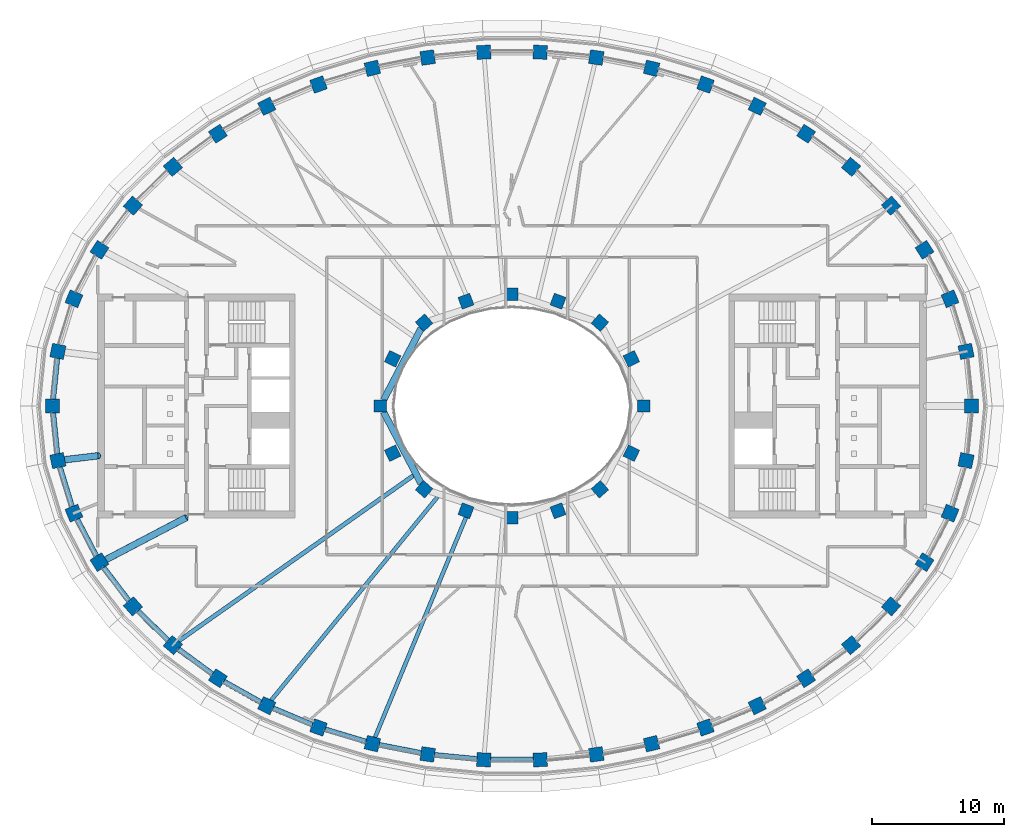
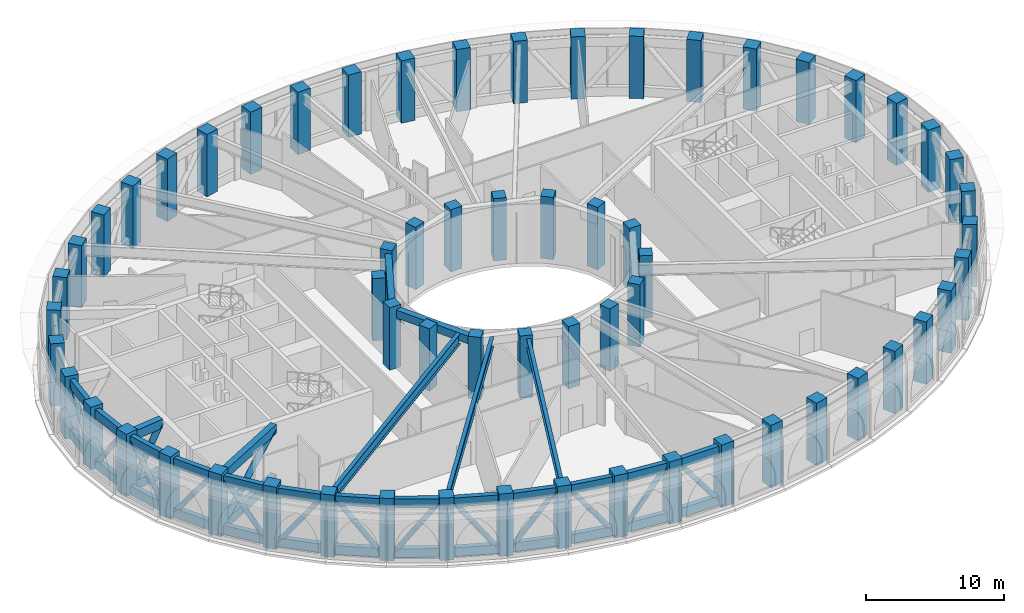
# One storey, part 1 of 23: 62 columns, 35 beams, 15 members.
"""IFC4 building model written with IfcOpenShell, lengths in metres."""

from ifc_helpers import new_model, si_unit, direction, frame, origin, origin_2d, place, context, subcontext, project, spatial, rectangle, hollow_rectangle, hollow_circle, i_section, extrude, material, material_profile, profile_set, type_object, element, save


model = new_model("IFC4")

# Units and contexts
model_context = context("Model", 3, precision=1e-05, world=origin(), true_north=direction((0.0, 1.0)))
body_context = subcontext(model_context, "Body", "Model", "MODEL_VIEW")
ifc_project = project(units=[si_unit("LENGTHUNIT", "METRE"), si_unit("AREAUNIT", "SQUARE_METRE"), si_unit("VOLUMEUNIT", "CUBIC_METRE"), si_unit("PLANEANGLEUNIT", "RADIAN"), si_unit("MASSUNIT", "GRAM", prefix="KILO")], contexts=[model_context])

# Site, building, storey
site_placement = place(None, origin())
site = spatial("IfcSite", under=ifc_project, at=site_placement, CompositionType="ELEMENT")
building_placement = place(site_placement, origin())
building = spatial("IfcBuilding", under=site, at=building_placement, Name="Noorbagh Ring Tower", CompositionType="ELEMENT")
storey_placement = place(building_placement, frame((0.0, 0.0, 285.5)))
storey = spatial("IfcBuildingStorey", under=building, at=storey_placement, Name="L61", CompositionType="ELEMENT", Elevation=285.5)

# Columns
ifc_material_1 = material(Name="Concrete C50/60", Category="concrete")
ifc_material_profile_1 = material_profile(ifc_material_1, rectangle(XDim=1.050048828125, YDim=1.050048828125, at=origin_2d()), Name="RC1050x1050")
ifc_profile_set_1 = profile_set([ifc_material_profile_1], Name="Concrete C50/60")
column_type_1 = type_object("IfcColumnType", Name="STR-COL-RC1050x1050-C50-60", PredefinedType="COLUMN", material=ifc_profile_set_1)
for number, where, z_axis, x_axis, name in (
    (1, (34.944580078125, 0.0, 0.0), (0.0, 0.0, 1.0), (0.0, 1.0, 0.0), "L61/col/R1-01"),
    (2, (34.52685546875, 4.150634765625, 0.0), (0.0, 0.0, 1.0), (-0.19723040178, 0.9803571638, 0.0), "L61/col/R1-02"),
    (3, (33.30517578125, 8.1494140625, 0.0), (0.0, 0.0, 1.0), (-0.378989499959, 0.925400971969, 0.0), "L61/col/R1-03"),
    (4, (31.364990234375, 11.87109375, 0.0), (0.0, 0.0, 1.0), (-0.535190403059, 0.844731455833, 0.0), "L61/col/R1-04"),
    (5, (28.81884765625, 15.23046875, 0.0), (0.0, 0.0, 1.0), (-0.662635642662, 0.748941923699, 0.0), "L61/col/R1-05"),
    (6, (25.78271484375, 18.180419921875, 0.0), (0.0, 0.0, 1.0), (-0.763035199656, 0.646356932419, 0.0), "L61/col/R1-06"),
    (7, (22.362060546875, 20.699951171875, 0.0), (0.0, 0.0, 1.0), (-0.840247639643, 0.542202825586, 0.0), "L61/col/R1-07"),
    (8, (18.646240234375, 22.785400390625, 0.0), (0.0, 0.0, 1.0), (-0.898399080868, 0.439180021741, 0.0), "L61/col/R1-08"),
    (9, (14.70947265625, 24.44091796875, 0.0), (0.0, 0.0, 1.0), (-0.941024726094, 0.338337797003, 0.0), "L61/col/R1-09"),
    (10, (10.61328125, 25.673583984375, 0.0), (0.0, 0.0, 1.0), (-0.970829360981, 0.239771457553, 0.0), "L61/col/R1-10"),
    (11, (6.4091796875, 26.49072265625, 0.0), (0.0, 0.0, 1.0), (-0.989713114048, 0.143066249975, 0.0), "L61/col/R1-11"),
    (12, (2.14306640625, 26.89794921875, 0.0), (0.0, 0.0, 1.0), (-0.998868731212, 0.047552684538, 0.0), "L61/col/R1-12"),
    (13, (-2.14306640625, 26.89794921875, 0.0), (0.0, 0.0, 1.0), (-0.998868731212, -0.047552684538, 0.0), "L61/col/R1-13"),
    (14, (-6.4091796875, 26.49072265625, 0.0), (0.0, 0.0, 1.0), (-0.989713114048, -0.143066249975, 0.0), "L61/col/R1-14"),
    (15, (-10.61328125, 25.673583984375, 0.0), (0.0, 0.0, 1.0), (-0.970829360981, -0.239771457553, 0.0), "L61/col/R1-15"),
    (16, (-14.70947265625, 24.44091796875, 0.0), (0.0, 0.0, 1.0), (-0.941024726094, -0.338337797003, 0.0), "L61/col/R1-16"),
    (17, (-18.646240234375, 22.785400390625, 0.0), (0.0, 0.0, 1.0), (-0.898399080868, -0.439180021741, 0.0), "L61/col/R1-17"),
    (18, (-22.362060546875, 20.699951171875, 0.0), (0.0, 0.0, 1.0), (-0.840247639643, -0.542202825586, 0.0), "L61/col/R1-18"),
    (19, (-25.78271484375, 18.180419921875, 0.0), (0.0, 0.0, 1.0), (-0.763035199656, -0.646356932419, 0.0), "L61/col/R1-19"),
    (20, (-28.81884765625, 15.23046875, 0.0), (0.0, 0.0, 1.0), (-0.662635642662, -0.748941923699, 0.0), "L61/col/R1-20"),
    (21, (-31.364990234375, 11.87109375, 0.0), (0.0, 0.0, 1.0), (-0.535190403059, -0.844731455833, 0.0), "L61/col/R1-21"),
    (22, (-33.30517578125, 8.1494140625, 0.0), (0.0, 0.0, 1.0), (-0.378989499959, -0.925400971969, 0.0), "L61/col/R1-22"),
    (23, (-34.52685546875, 4.150634765625, 0.0), (0.0, 0.0, 1.0), (-0.19723040178, -0.9803571638, 0.0), "L61/col/R1-23"),
    (24, (-34.944580078125, 0.0, 0.0), (0.0, 0.0, 1.0), (0.0, -1.0, 0.0), "L61/col/R1-24"),
    (25, (-34.52685546875, -4.150634765625, 0.0), (0.0, 0.0, 1.0), (0.19723040178, -0.9803571638, 0.0), "L61/col/R1-25"),
    (26, (-33.30517578125, -8.1494140625, 0.0), (0.0, 0.0, 1.0), (0.378989499959, -0.925400971969, 0.0), "L61/col/R1-26"),
    (27, (-31.364990234375, -11.87109375, 0.0), (0.0, 0.0, 1.0), (0.535190403059, -0.844731455833, 0.0), "L61/col/R1-27"),
    (28, (-28.81884765625, -15.23046875, 0.0), (0.0, 0.0, 1.0), (0.662635642662, -0.748941923699, 0.0), "L61/col/R1-28"),
    (29, (-25.78271484375, -18.180419921875, 0.0), (0.0, 0.0, 1.0), (0.763035199656, -0.646356932419, 0.0), "L61/col/R1-29"),
    (30, (-22.362060546875, -20.699951171875, 0.0), (0.0, 0.0, 1.0), (0.840247639643, -0.542202825586, 0.0), "L61/col/R1-30"),
    (31, (-18.646240234375, -22.785400390625, 0.0), (0.0, 0.0, 1.0), (0.898399080868, -0.439180021741, 0.0), "L61/col/R1-31"),
    (32, (-14.70947265625, -24.44091796875, 0.0), (0.0, 0.0, 1.0), (0.941024726094, -0.338337797003, 0.0), "L61/col/R1-32"),
    (33, (-10.61328125, -25.673583984375, 0.0), (0.0, 0.0, 1.0), (0.970829360981, -0.239771457553, 0.0), "L61/col/R1-33"),
    (34, (-6.4091796875, -26.49072265625, 0.0), (0.0, 0.0, 1.0), (0.989713114048, -0.143066249975, 0.0), "L61/col/R1-34"),
    (35, (-2.14306640625, -26.89794921875, 0.0), (0.0, 0.0, 1.0), (0.998868731212, -0.047552684538, 0.0), "L61/col/R1-35"),
    (36, (2.14306640625, -26.89794921875, 0.0), (0.0, 0.0, 1.0), (0.998868731212, 0.047552684538, 0.0), "L61/col/R1-36"),
    (37, (6.4091796875, -26.49072265625, 0.0), (0.0, 0.0, 1.0), (0.989713114048, 0.143066249975, 0.0), "L61/col/R1-37"),
    (38, (10.61328125, -25.673583984375, 0.0), (0.0, 0.0, 1.0), (0.970829360981, 0.239771457553, 0.0), "L61/col/R1-38"),
    (39, (14.70947265625, -24.44091796875, 0.0), (0.0, 0.0, 1.0), (0.941024726094, 0.338337797003, 0.0), "L61/col/R1-39"),
    (40, (18.646240234375, -22.785400390625, 0.0), (0.0, 0.0, 1.0), (0.898399080868, 0.439180021741, 0.0), "L61/col/R1-40"),
    (41, (22.362060546875, -20.699951171875, 0.0), (0.0, 0.0, 1.0), (0.840247639643, 0.542202825586, 0.0), "L61/col/R1-41"),
    (42, (25.78271484375, -18.180419921875, 0.0), (0.0, 0.0, 1.0), (0.763035199656, 0.646356932419, 0.0), "L61/col/R1-42"),
    (43, (28.81884765625, -15.23046875, 0.0), (0.0, 0.0, 1.0), (0.662635642662, 0.748941923699, 0.0), "L61/col/R1-43"),
    (44, (31.364990234375, -11.87109375, 0.0), (0.0, 0.0, 1.0), (0.535190403059, 0.844731455833, 0.0), "L61/col/R1-44"),
    (45, (33.30517578125, -8.1494140625, 0.0), (0.0, 0.0, 1.0), (0.378989499959, 0.925400971969, 0.0), "L61/col/R1-45"),
    (46, (34.52685546875, -4.150634765625, 0.0), (0.0, 0.0, 1.0), (0.19723040178, 0.9803571638, 0.0), "L61/col/R1-46"),
):
    element("IfcColumn", number, at=place(storey_placement, frame(where, z_axis=z_axis, x_axis=x_axis)), inside=storey, type_object=column_type_1, Name=name, PredefinedType="COLUMN", context=body_context, shape_type="SweptSolid", body=[
        extrude(rectangle(XDim=1.050048828125, YDim=1.050048828125, at=origin_2d()), origin(), (0.0, 0.0, 1.0), 5.5),
    ])
ifc_material_2 = material(Name="Concrete C50/60", Category="concrete")
ifc_material_profile_2 = material_profile(ifc_material_2, rectangle(XDim=0.949951171875, YDim=0.949951171875, at=origin_2d()), Name="RC950x950")
ifc_profile_set_2 = profile_set([ifc_material_profile_2], Name="Concrete C50/60")
column_type_2 = type_object("IfcColumnType", Name="STR-ICOL-RC950x950-C50-60", PredefinedType="COLUMN", material=ifc_profile_set_2)
for number, where, z_axis, x_axis, name in (
    (47, (10.00830078125, 0.0, 0.0), (0.0, 0.0, 1.0), (0.0, 1.0, 0.0), "L61/col/IR2-W01"),
    (48, (9.07568359375, 3.58837890625, 0.0), (0.0, 0.0, 1.0), (-0.428666979171, 0.903462573087, 0.0), "L61/col/IR2-W03"),
    (49, (6.68212890625, 6.333740234375, 0.0), (0.0, 0.0, 1.0), (-0.75102249095, 0.660276622399, 0.0), "L61/col/IR2-W05"),
    (50, (3.5009765625, 7.967041015625, 0.0), (0.0, 0.0, 1.0), (-0.939019578916, 0.343863679984, 0.0), "L61/col/IR2-W07"),
    (51, (0.0, 8.5029296875, 0.0), (0.0, 0.0, 1.0), (-1.0, 0.0, 0.0), "L61/col/IR2-W09"),
    (52, (-3.5009765625, 7.967041015625, 0.0), (0.0, 0.0, 1.0), (-0.939019578916, -0.343863679984, 0.0), "L61/col/IR2-W11"),
    (53, (-6.68212890625, 6.333740234375, 0.0), (0.0, 0.0, 1.0), (-0.75102249095, -0.660276622399, 0.0), "L61/col/IR2-W13"),
    (54, (-9.07568359375, 3.58837890625, 0.0), (0.0, 0.0, 1.0), (-0.428666979171, -0.903462573087, 0.0), "L61/col/IR2-W15"),
    (55, (-10.00830078125, 0.0, 0.0), (0.0, 0.0, 1.0), (0.0, -1.0, 0.0), "L61/col/IR2-W17"),
    (56, (-9.07568359375, -3.58837890625, 0.0), (0.0, 0.0, 1.0), (0.428666979171, -0.903462573087, 0.0), "L61/col/IR2-W19"),
    (57, (-6.68212890625, -6.333740234375, 0.0), (0.0, 0.0, 1.0), (0.75102249095, -0.660276622399, 0.0), "L61/col/IR2-W21"),
    (58, (-3.5009765625, -7.967041015625, 0.0), (0.0, 0.0, 1.0), (0.939019578916, -0.343863679984, 0.0), "L61/col/IR2-W23"),
    (59, (0.0, -8.5029296875, 0.0), (0.0, 0.0, 1.0), (1.0, 0.0, 0.0), "L61/col/IR2-W25"),
    (60, (3.5009765625, -7.967041015625, 0.0), (0.0, 0.0, 1.0), (0.939019578916, 0.343863679984, 0.0), "L61/col/IR2-W27"),
    (61, (6.68212890625, -6.333740234375, 0.0), (0.0, 0.0, 1.0), (0.75102249095, 0.660276622399, 0.0), "L61/col/IR2-W29"),
    (62, (9.07568359375, -3.58837890625, 0.0), (0.0, 0.0, 1.0), (0.428666979171, 0.903462573087, 0.0), "L61/col/IR2-W31"),
):
    element("IfcColumn", number, at=place(storey_placement, frame(where, z_axis=z_axis, x_axis=x_axis)), inside=storey, type_object=column_type_2, Name=name, PredefinedType="COLUMN", context=body_context, shape_type="SweptSolid", body=[
        extrude(rectangle(XDim=0.949951171875, YDim=0.949951171875, at=origin_2d()), origin(), (0.0, 0.0, 1.0), 5.5),
    ])

# Beams
ifc_material_3 = material(Name="Steel S460", Category="steel")
ifc_material_profile_3 = material_profile(ifc_material_3, hollow_rectangle(XDim=0.39990234375, YDim=0.800048828125, WallThickness=0.031982421875, at=origin_2d()), Name="BOX800x400x32")
ifc_profile_set_3 = profile_set([ifc_material_profile_3], Name="Steel S460")
beam_type_1 = type_object("IfcBeamType", Name="STR-BELT-TRUSS-CHORD-BOX800x400x32-S460", PredefinedType="BEAM", material=ifc_profile_set_3)
for number, where, z_axis, x_axis, name in (
    (63, (-34.57763671875, 3.645751953125, 0.39990234375), (-0.100162281746, -0.99497111381, 0.0), (0.99497111381, -0.100162281746, 0.0), "Belt truss chord"),
    (64, (-34.57763671875, 3.645751953125, 4.800048828125), (-0.100162281746, -0.99497111381, 0.0), (0.99497111381, -0.100162281746, 0.0), "Belt truss chord"),
    (65, (-34.893798828125, -0.505126953125, 0.39990234375), (0.100162281746, -0.99497111381, 0.0), (0.99497111381, 0.100162281746, 0.0), "Belt truss chord"),
    (66, (-34.893798828125, -0.505126953125, 4.800048828125), (0.100162281746, -0.99497111381, 0.0), (0.99497111381, 0.100162281746, 0.0), "Belt truss chord"),
):
    element("IfcBeam", number, at=place(storey_placement, frame(where, z_axis=z_axis, x_axis=x_axis)), inside=storey, type_object=beam_type_1, Name=name, PredefinedType="BEAM", context=body_context, shape_type="SweptSolid", body=[
        extrude(hollow_rectangle(XDim=0.39990234375, YDim=0.800048828125, WallThickness=0.031982421875, at=origin_2d()), origin(), (0.0, 0.0, 1.0), 3.156494140625),
    ])
for number, where, z_axis, x_axis, name in (
    (67, (-34.37841796875, -4.635986328125, 0.39990234375), (0.292140180951, -0.95637550924, 0.0), (0.95637550924, 0.292140180951, 0.0), "Belt truss chord"),
    (68, (-34.37841796875, -4.635986328125, 4.800048828125), (0.292140180951, -0.95637550924, 0.0), (0.95637550924, 0.292140180951, 0.0), "Belt truss chord"),
):
    element("IfcBeam", number, at=place(storey_placement, frame(where, z_axis=z_axis, x_axis=x_axis)), inside=storey, type_object=beam_type_1, Name=name, PredefinedType="BEAM", context=body_context, shape_type="SweptSolid", body=[
        extrude(hollow_rectangle(XDim=0.39990234375, YDim=0.800048828125, WallThickness=0.031982421875, at=origin_2d()), origin(), (0.0, 0.0, 1.0), 3.16650390625),
    ])
for number, where, z_axis, x_axis, name in (
    (69, (-33.07080078125, -8.59912109375, 0.39990234375), (0.462275020648, -0.886736604232, 0.0), (0.886736604232, 0.462275020648, 0.0), "Belt truss chord"),
    (70, (-33.07080078125, -8.59912109375, 4.800048828125), (0.462275020648, -0.886736604232, 0.0), (0.886736604232, 0.462275020648, 0.0), "Belt truss chord"),
):
    element("IfcBeam", number, at=place(storey_placement, frame(where, z_axis=z_axis, x_axis=x_axis)), inside=storey, type_object=beam_type_1, Name=name, PredefinedType="BEAM", context=body_context, shape_type="SweptSolid", body=[
        extrude(hollow_rectangle(XDim=0.39990234375, YDim=0.800048828125, WallThickness=0.031982421875, at=origin_2d()), origin(), (0.0, 0.0, 1.0), 3.18310546875),
    ])
for number, where, z_axis, x_axis, name in (
    (71, (-31.058837890625, -12.27490234375, 0.39990234375), (0.604005939895, -0.796979814406, 0.0), (0.796979814406, 0.604005939895, 0.0), "Belt truss chord"),
    (72, (-31.058837890625, -12.27490234375, 4.800048828125), (0.604005939895, -0.796979814406, 0.0), (0.796979814406, 0.604005939895, 0.0), "Belt truss chord"),
):
    element("IfcBeam", number, at=place(storey_placement, frame(where, z_axis=z_axis, x_axis=x_axis)), inside=storey, type_object=beam_type_1, Name=name, PredefinedType="BEAM", context=body_context, shape_type="SweptSolid", body=[
        extrude(hollow_rectangle(XDim=0.39990234375, YDim=0.800048828125, WallThickness=0.031982421875, at=origin_2d()), origin(), (0.0, 0.0, 1.0), 3.2021484375),
    ])
for number, where, z_axis, x_axis, name in (
    (73, (-28.45556640625, -15.58349609375, 0.39990234375), (0.717229582564, -0.69683694355, 0.0), (0.69683694355, 0.717229582564, 0.0), "Belt truss chord"),
    (74, (-28.45556640625, -15.58349609375, 4.800048828125), (0.717229582564, -0.69683694355, 0.0), (0.69683694355, 0.717229582564, 0.0), "Belt truss chord"),
):
    element("IfcBeam", number, at=place(storey_placement, frame(where, z_axis=z_axis, x_axis=x_axis)), inside=storey, type_object=beam_type_1, Name=name, PredefinedType="BEAM", context=body_context, shape_type="SweptSolid", body=[
        extrude(hollow_rectangle(XDim=0.39990234375, YDim=0.800048828125, WallThickness=0.031982421875, at=origin_2d()), origin(), (0.0, 0.0, 1.0), 3.220458984375),
    ])
for number, where, z_axis, x_axis, name in (
    (75, (-25.375244140625, -18.48046875, 0.39990234375), (0.805139257041, -0.593085808944, 0.0), (0.593085808944, 0.805139257041, 0.0), "Belt truss chord"),
    (76, (-25.375244140625, -18.48046875, 4.800048828125), (0.805139257041, -0.593085808944, 0.0), (0.593085808944, 0.805139257041, 0.0), "Belt truss chord"),
):
    element("IfcBeam", number, at=place(storey_placement, frame(where, z_axis=z_axis, x_axis=x_axis)), inside=storey, type_object=beam_type_1, Name=name, PredefinedType="BEAM", context=body_context, shape_type="SweptSolid", body=[
        extrude(hollow_rectangle(XDim=0.39990234375, YDim=0.800048828125, WallThickness=0.031982421875, at=origin_2d()), origin(), (0.0, 0.0, 1.0), 3.236328125),
    ])
for number, where, z_axis, x_axis, name in (
    (77, (-21.9208984375, -20.947509765625, 0.39990234375), (0.872036673164, -0.489440538428, 0.0), (0.489440538428, 0.872036673164, 0.0), "Belt truss chord"),
    (78, (-21.9208984375, -20.947509765625, 4.800048828125), (0.872036673164, -0.489440538428, 0.0), (0.489440538428, 0.872036673164, 0.0), "Belt truss chord"),
):
    element("IfcBeam", number, at=place(storey_placement, frame(where, z_axis=z_axis, x_axis=x_axis)), inside=storey, type_object=beam_type_1, Name=name, PredefinedType="BEAM", context=body_context, shape_type="SweptSolid", body=[
        extrude(hollow_rectangle(XDim=0.39990234375, YDim=0.800048828125, WallThickness=0.031982421875, at=origin_2d()), origin(), (0.0, 0.0, 1.0), 3.249267578125),
    ])
for number, where, z_axis, x_axis, name in (
    (79, (-18.179931640625, -22.9814453125, 0.39990234375), (0.921797458045, -0.38767182815, 0.0), (0.38767182815, 0.921797458045, 0.0), "Belt truss chord"),
    (80, (-18.179931640625, -22.9814453125, 4.800048828125), (0.921797458045, -0.38767182815, 0.0), (0.38767182815, 0.921797458045, 0.0), "Belt truss chord"),
):
    element("IfcBeam", number, at=place(storey_placement, frame(where, z_axis=z_axis, x_axis=x_axis)), inside=storey, type_object=beam_type_1, Name=name, PredefinedType="BEAM", context=body_context, shape_type="SweptSolid", body=[
        extrude(hollow_rectangle(XDim=0.39990234375, YDim=0.800048828125, WallThickness=0.031982421875, at=origin_2d()), origin(), (0.0, 0.0, 1.0), 3.259033203125),
    ])
for number, where, z_axis, x_axis, name in (
    (81, (-14.225341796875, -24.586669921875, 0.39990234375), (0.957591455389, -0.288129492704, 0.0), (0.288129492704, 0.957591455389, 0.0), "Belt truss chord"),
    (82, (-14.225341796875, -24.586669921875, 4.800048828125), (0.957591455389, -0.288129492704, 0.0), (0.288129492704, 0.957591455389, 0.0), "Belt truss chord"),
):
    element("IfcBeam", number, at=place(storey_placement, frame(where, z_axis=z_axis, x_axis=x_axis)), inside=storey, type_object=beam_type_1, Name=name, PredefinedType="BEAM", context=body_context, shape_type="SweptSolid", body=[
        extrude(hollow_rectangle(XDim=0.39990234375, YDim=0.800048828125, WallThickness=0.031982421875, at=origin_2d()), origin(), (0.0, 0.0, 1.0), 3.266357421875),
    ])
for number, where, z_axis, x_axis, name in (
    (83, (-10.116943359375, -25.77001953125, 0.39990234375), (0.981625486335, -0.190817726057, 0.0), (0.190817726057, 0.981625486335, 0.0), "Belt truss chord"),
    (84, (-10.116943359375, -25.77001953125, 4.800048828125), (0.981625486335, -0.190817726057, 0.0), (0.190817726057, 0.981625486335, 0.0), "Belt truss chord"),
):
    element("IfcBeam", number, at=place(storey_placement, frame(where, z_axis=z_axis, x_axis=x_axis)), inside=storey, type_object=beam_type_1, Name=name, PredefinedType="BEAM", context=body_context, shape_type="SweptSolid", body=[
        extrude(hollow_rectangle(XDim=0.39990234375, YDim=0.800048828125, WallThickness=0.031982421875, at=origin_2d()), origin(), (0.0, 0.0, 1.0), 3.271484375),
    ])
for number, where, z_axis, x_axis, name in (
    (85, (-5.906005859375, -26.538818359375, 0.39990234375), (0.99547803004, -0.094992061289, 0.0), (0.094992061289, 0.99547803004, 0.0), "Belt truss chord"),
    (86, (-5.906005859375, -26.538818359375, 4.800048828125), (0.99547803004, -0.094992061289, 0.0), (0.094992061289, 0.99547803004, 0.0), "Belt truss chord"),
):
    element("IfcBeam", number, at=place(storey_placement, frame(where, z_axis=z_axis, x_axis=x_axis)), inside=storey, type_object=beam_type_1, Name=name, PredefinedType="BEAM", context=body_context, shape_type="SweptSolid", body=[
        extrude(hollow_rectangle(XDim=0.39990234375, YDim=0.800048828125, WallThickness=0.031982421875, at=origin_2d()), origin(), (0.0, 0.0, 1.0), 3.2744140625),
    ])
for number, where, z_axis, x_axis, name in (
    (87, (-1.6376953125, -26.89794921875, 0.39990234375), (1.0, 0.0, 0.0), (0.0, 1.0, 0.0), "Belt truss chord"),
    (88, (-1.6376953125, -26.89794921875, 4.800048828125), (1.0, 0.0, 0.0), (0.0, 1.0, 0.0), "Belt truss chord"),
):
    element("IfcBeam", number, at=place(storey_placement, frame(where, z_axis=z_axis, x_axis=x_axis)), inside=storey, type_object=beam_type_1, Name=name, PredefinedType="BEAM", context=body_context, shape_type="SweptSolid", body=[
        extrude(hollow_rectangle(XDim=0.39990234375, YDim=0.800048828125, WallThickness=0.031982421875, at=origin_2d()), origin(), (0.0, 0.0, 1.0), 3.275390625),
    ])

# Members
ifc_material_4 = material(Name="Steel S355", Category="steel")
ifc_material_profile_4 = material_profile(ifc_material_4, hollow_circle(Radius=0.203125, WallThickness=0.01611328125, at=origin_2d()), Name="CHS406.4x16")
ifc_profile_set_4 = profile_set([ifc_material_profile_4], Name="Steel S355")
member_type_1 = type_object("IfcMemberType", Name="STR-BELT-TRUSS-DIAGONAL-CHS406.4x16", PredefinedType="BRACE", material=ifc_profile_set_4)
for number, where, z_axis, x_axis, name in (
    (89, (-34.893798828125, 0.505126953125, 0.39990234375), (0.05838381788, 0.579960952286, 0.812549459192), (-0.99497111381, 0.100162281746, 0.0), "Belt truss diagonal"),
    (90, (-34.893798828125, -0.505126953125, 0.39990234375), (0.05838381788, -0.579960952286, 0.812549459192), (0.99497111381, 0.100162281746, 0.0), "Belt truss diagonal"),
):
    element("IfcMember", number, at=place(storey_placement, frame(where, z_axis=z_axis, x_axis=x_axis)), inside=storey, type_object=member_type_1, Name=name, PredefinedType="BRACE", context=body_context, shape_type="SweptSolid", body=[
        extrude(hollow_circle(Radius=0.203125, WallThickness=0.01611328125, at=origin_2d()), origin(), (0.0, 0.0, 1.0), 5.415283203125),
    ])
member_1_placement = place(storey_placement, frame((-33.453369140625, -7.664306640625, 0.39990234375), z_axis=(-0.170640316934, 0.558622985288, 0.811678657194), x_axis=(-0.95637550924, -0.292140180951, 0.0)))
element("IfcMember", 91, at=member_1_placement, inside=storey, type_object=member_type_1, Name="Belt truss diagonal", PredefinedType="BRACE", context=body_context, shape_type="SweptSolid", body=[
    extrude(hollow_circle(Radius=0.203125, WallThickness=0.01611328125, at=origin_2d()), origin(), (0.0, 0.0, 1.0), 5.421142578125),
])
member_2_placement = place(storey_placement, frame((-33.07080078125, -8.59912109375, 0.39990234375), z_axis=(0.270945515121, -0.519728073721, 0.810229138714), x_axis=(0.886736604232, 0.462275020648, 0.0)))
element("IfcMember", 92, at=member_2_placement, inside=storey, type_object=member_type_1, Name="Belt truss diagonal", PredefinedType="BRACE", context=body_context, shape_type="SweptSolid", body=[
    extrude(hollow_circle(Radius=0.203125, WallThickness=0.01611328125, at=origin_2d()), origin(), (0.0, 0.0, 1.0), 5.4306640625),
])
member_3_placement = place(storey_placement, frame((-29.124755859375, -14.826904296875, 0.39990234375), z_axis=(-0.355403249819, 0.468951043973, 0.808562581607), x_axis=(-0.796979814406, -0.604005939895, 0.0)))
element("IfcMember", 93, at=member_3_placement, inside=storey, type_object=member_type_1, Name="Belt truss diagonal", PredefinedType="BRACE", context=body_context, shape_type="SweptSolid", body=[
    extrude(hollow_circle(Radius=0.203125, WallThickness=0.01611328125, at=origin_2d()), origin(), (0.0, 0.0, 1.0), 5.44189453125),
])
member_4_placement = place(storey_placement, frame((-28.45556640625, -15.58349609375, 0.39990234375), z_axis=(0.423603877788, -0.411559755271, 0.806956208579), x_axis=(0.69683694355, 0.717229582564, 0.0)))
element("IfcMember", 94, at=member_4_placement, inside=storey, type_object=member_type_1, Name="Belt truss diagonal", PredefinedType="BRACE", context=body_context, shape_type="SweptSolid", body=[
    extrude(hollow_circle(Radius=0.203125, WallThickness=0.01611328125, at=origin_2d()), origin(), (0.0, 0.0, 1.0), 5.452880859375),
])
member_5_placement = place(storey_placement, frame((-22.76953125, -20.39990234375, 0.39990234375), z_axis=(-0.47704757351, 0.351405230295, 0.805568108064), x_axis=(-0.593085808944, -0.805139257041, 0.0)))
element("IfcMember", 95, at=member_5_placement, inside=storey, type_object=member_type_1, Name="Belt truss diagonal", PredefinedType="BRACE", context=body_context, shape_type="SweptSolid", body=[
    extrude(hollow_circle(Radius=0.203125, WallThickness=0.01611328125, at=origin_2d()), origin(), (0.0, 0.0, 1.0), 5.462158203125),
])
member_6_placement = place(storey_placement, frame((-21.9208984375, -20.947509765625, 0.39990234375), z_axis=(0.518021789464, -0.290745643337, 0.804437938266), x_axis=(0.489440538428, 0.872036673164, 0.0)))
element("IfcMember", 96, at=member_6_placement, inside=storey, type_object=member_type_1, Name="Belt truss diagonal", PredefinedType="BRACE", context=body_context, shape_type="SweptSolid", body=[
    extrude(hollow_circle(Radius=0.203125, WallThickness=0.01611328125, at=origin_2d()), origin(), (0.0, 0.0, 1.0), 5.4697265625),
])
member_7_placement = place(storey_placement, frame((-15.17578125, -24.244873046875, 0.39990234375), z_axis=(-0.548640736729, 0.230736758437, 0.803588134748), x_axis=(-0.38767182815, -0.921797458045, 0.0)))
element("IfcMember", 97, at=member_7_placement, inside=storey, type_object=member_type_1, Name="Belt truss diagonal", PredefinedType="BRACE", context=body_context, shape_type="SweptSolid", body=[
    extrude(hollow_circle(Radius=0.203125, WallThickness=0.01611328125, at=origin_2d()), origin(), (0.0, 0.0, 1.0), 5.4755859375),
])
member_8_placement = place(storey_placement, frame((-14.225341796875, -24.586669921875, 0.39990234375), z_axis=(0.570784203225, -0.171743139512, 0.802938159125), x_axis=(0.288129492704, 0.957591455389, 0.0)))
element("IfcMember", 98, at=member_8_placement, inside=storey, type_object=member_type_1, Name="Belt truss diagonal", PredefinedType="BRACE", context=body_context, shape_type="SweptSolid", body=[
    extrude(hollow_circle(Radius=0.203125, WallThickness=0.01611328125, at=origin_2d()), origin(), (0.0, 0.0, 1.0), 5.47998046875),
])
member_9_placement = place(storey_placement, frame((-6.905517578125, -26.394287109375, 0.39990234375), z_axis=(-0.585696554173, 0.113853283337, 0.802494221975), x_axis=(-0.190817726057, -0.981625486335, 0.0)))
element("IfcMember", 99, at=member_9_placement, inside=storey, type_object=member_type_1, Name="Belt truss diagonal", PredefinedType="BRACE", context=body_context, shape_type="SweptSolid", body=[
    extrude(hollow_circle(Radius=0.203125, WallThickness=0.01611328125, at=origin_2d()), origin(), (0.0, 0.0, 1.0), 5.483154296875),
])
member_10_placement = place(storey_placement, frame((-5.906005859375, -26.538818359375, 0.39990234375), z_axis=(0.594287775286, -0.056709057427, 0.802250660923), x_axis=(0.094992061289, 0.99547803004, 0.0)))
element("IfcMember", 100, at=member_10_placement, inside=storey, type_object=member_type_1, Name="Belt truss diagonal", PredefinedType="BRACE", context=body_context, shape_type="SweptSolid", body=[
    extrude(hollow_circle(Radius=0.203125, WallThickness=0.01611328125, at=origin_2d()), origin(), (0.0, 0.0, 1.0), 5.48486328125),
])
member_11_placement = place(storey_placement, frame((1.6376953125, -26.89794921875, 0.39990234375), z_axis=(-0.597112017864, 0.0, 0.802157863592), x_axis=(0.0, -1.0, 0.0)))
element("IfcMember", 101, at=member_11_placement, inside=storey, type_object=member_type_1, Name="Belt truss diagonal", PredefinedType="BRACE", context=body_context, shape_type="SweptSolid", body=[
    extrude(hollow_circle(Radius=0.203125, WallThickness=0.01611328125, at=origin_2d()), origin(), (0.0, 0.0, 1.0), 5.4853515625),
])

# Beams
ifc_material_5 = material(Name="Steel S460", Category="steel")
ifc_material_profile_5 = material_profile(ifc_material_5, hollow_rectangle(XDim=0.5, YDim=0.800048828125, WallThickness=0.0400390625, at=origin_2d()), Name="BOX800x500x40")
ifc_profile_set_5 = profile_set([ifc_material_profile_5], Name="Steel S460")
beam_type_2 = type_object("IfcBeamType", Name="STR-OUTRIGGER-TRUSS-CHORD-BOX800x500x40-S460", PredefinedType="BEAM", material=ifc_profile_set_5)
for number, where, z_axis, x_axis, name in (
    (102, (-34.023681640625, -4.090087890625, 0.39990234375), (0.992856079473, 0.119318085189, 0.0), (-0.119318085189, 0.992856079473, 0.0), "Outrigger truss chord"),
    (103, (-34.023681640625, -4.090087890625, 4.800048828125), (0.992856079473, 0.119318085189, 0.0), (-0.119318085189, 0.992856079473, 0.0), "Outrigger truss chord"),
):
    element("IfcBeam", number, at=place(storey_placement, frame(where, z_axis=z_axis, x_axis=x_axis)), inside=storey, type_object=beam_type_2, Name=name, PredefinedType="BEAM", context=body_context, shape_type="SweptSolid", body=[
        extrude(hollow_rectangle(XDim=0.5, YDim=0.800048828125, WallThickness=0.0400390625, at=origin_2d()), origin(), (0.0, 0.0, 1.0), 2.561767578125),
    ])
for number, where, z_axis, x_axis, name in (
    (104, (-30.88232421875, -11.688232421875, 0.39990234375), (0.885600826851, 0.464447171895, 0.0), (-0.464447171895, 0.885600826851, 0.0), "Outrigger truss chord"),
    (105, (-30.88232421875, -11.688232421875, 4.800048828125), (0.885600826851, 0.464447171895, 0.0), (-0.464447171895, 0.885600826851, 0.0), "Outrigger truss chord"),
):
    element("IfcBeam", number, at=place(storey_placement, frame(where, z_axis=z_axis, x_axis=x_axis)), inside=storey, type_object=beam_type_2, Name=name, PredefinedType="BEAM", context=body_context, shape_type="SweptSolid", body=[
        extrude(hollow_rectangle(XDim=0.5, YDim=0.800048828125, WallThickness=0.0400390625, at=origin_2d()), origin(), (0.0, 0.0, 1.0), 6.8798828125),
    ])

# Members
ifc_material_6 = material(Name="Steel S355", Category="steel")
ifc_material_profile_6 = material_profile(ifc_material_6, hollow_circle(Radius=0.25390625, WallThickness=0.02490234375, at=origin_2d()), Name="CHS508x25")
ifc_profile_set_6 = profile_set([ifc_material_profile_6], Name="Steel S355")
member_type_2 = type_object("IfcMemberType", Name="STR-OUTRIGGER-TRUSS-DIAGONAL-CHS508x25", PredefinedType="BRACE", material=ifc_profile_set_6)
member_12_placement = place(storey_placement, frame((-34.023681640625, -4.090087890625, 0.39990234375), z_axis=(0.499544627654, 0.060033583588, 0.864205492822), x_axis=(-0.119318085189, 0.992856079473, 0.0)))
element("IfcMember", 106, at=member_12_placement, inside=storey, type_object=member_type_2, Name="Outrigger truss diagonal", PredefinedType="BRACE", context=body_context, shape_type="SweptSolid", body=[
    extrude(hollow_circle(Radius=0.25390625, WallThickness=0.02490234375, at=origin_2d()), origin(), (0.0, 0.0, 1.0), 5.091552734375),
])
member_13_placement = place(storey_placement, frame((-30.88232421875, -11.688232421875, 0.39990234375), z_axis=(0.746060855051, 0.391266407714, 0.538798476943), x_axis=(-0.464447171895, 0.885600826851, 0.0)))
element("IfcMember", 107, at=member_13_placement, inside=storey, type_object=member_type_2, Name="Outrigger truss diagonal", PredefinedType="BRACE", context=body_context, shape_type="SweptSolid", body=[
    extrude(hollow_circle(Radius=0.25390625, WallThickness=0.02490234375, at=origin_2d()), origin(), (0.0, 0.0, 1.0), 8.16650390625),
])

# Beams
ifc_material_7 = material(Name="Steel S355", Category="steel")
ifc_material_profile_7 = material_profile(ifc_material_7, i_section(OverallWidth=0.300048828125, OverallDepth=0.85009765625, WebThickness=0.013916015625, FlangeThickness=0.028076171875, at=origin_2d()), Name="PG850x300x14x28")
ifc_profile_set_7 = profile_set([ifc_material_profile_7], Name="Steel S355")
beam_type_3 = type_object("IfcBeamType", Name="STR-RAD-PG850x300x14x28", PredefinedType="BEAM", material=ifc_profile_set_7)
beam_1_placement = place(storey_placement, frame((-18.3173828125, -22.383544921875, 4.77490234375), z_axis=(0.633312925982, 0.77389581843, 0.0), x_axis=(-0.77389581843, 0.633312925982, 0.0)))
element("IfcBeam", 108, at=beam_1_placement, inside=storey, type_object=beam_type_3, Name="L61/bm/RD31", PredefinedType="BEAM", context=body_context, shape_type="SweptSolid", body=[
    extrude(i_section(OverallWidth=0.300048828125, OverallDepth=0.85009765625, WebThickness=0.013916015625, FlangeThickness=0.028076171875, at=origin_2d()), origin(), (0.0, 0.0, 1.0), 19.993896484375),
])
beam_2_placement = place(storey_placement, frame((-10.41796875, -25.201416015625, 4.77490234375), z_axis=(0.382034660206, 0.924147995941, 0.0), x_axis=(-0.924147995941, 0.382034660206, 0.0)))
element("IfcBeam", 109, at=beam_2_placement, inside=storey, type_object=beam_type_3, Name="L61/bm/RD33", PredefinedType="BEAM", context=body_context, shape_type="SweptSolid", body=[
    extrude(i_section(OverallWidth=0.300048828125, OverallDepth=0.85009765625, WebThickness=0.013916015625, FlangeThickness=0.028076171875, at=origin_2d()), origin(), (0.0, 0.0, 1.0), 18.9267578125),
])
ifc_material_8 = material(Name="Steel S355", Category="steel")
ifc_material_profile_8 = material_profile(ifc_material_8, i_section(OverallWidth=0.320068359375, OverallDepth=0.949951171875, WebThickness=0.01611328125, FlangeThickness=0.030029296875, at=origin_2d()), Name="PG950x320x16x30")
ifc_profile_set_8 = profile_set([ifc_material_profile_8], Name="Steel S355")
beam_type_4 = type_object("IfcBeamType", Name="STR-RAD-PG950x320x16x30", PredefinedType="BEAM", material=ifc_profile_set_8)
beam_3_placement = place(storey_placement, frame((-25.355712890625, -17.87939453125, 4.72509765625), z_axis=(0.817252873121, 0.57627922171, 0.0), x_axis=(-0.57627922171, 0.817252873121, 0.0)))
element("IfcBeam", 110, at=beam_3_placement, inside=storey, type_object=beam_type_4, Name="L61/bm/RD29", PredefinedType="BEAM", context=body_context, shape_type="SweptSolid", body=[
    extrude(i_section(OverallWidth=0.320068359375, OverallDepth=0.949951171875, WebThickness=0.01611328125, FlangeThickness=0.030029296875, at=origin_2d()), origin(), (0.0, 0.0, 1.0), 21.8564453125),
])
ifc_material_9 = material(Name="Concrete C40/50", Category="concrete")
ifc_material_profile_9 = material_profile(ifc_material_9, rectangle(XDim=0.5, YDim=0.699951171875, at=origin_2d()), Name="RC500x700")
ifc_profile_set_9 = profile_set([ifc_material_profile_9], Name="Concrete C40/50")
beam_type_5 = type_object("IfcBeamType", Name="STR-RB-RC500x700-C40-50", PredefinedType="BEAM", material=ifc_profile_set_9)
for number, where, z_axis, x_axis, name in (
    (111, (-6.909423828125, 5.901123046875, 4.85009765625), (-0.464944392106, -0.885339885157, 0.0), (0.885339885157, -0.464944392106, 0.0), "L61/bm/RG07"),
    (112, (-9.768310546875, -0.457275390625, 4.85009765625), (0.464944392106, -0.885339885157, 0.0), (0.885339885157, 0.464944392106, 0.0), "L61/bm/RG09"),
):
    element("IfcBeam", number, at=place(storey_placement, frame(where, z_axis=z_axis, x_axis=x_axis)), inside=storey, type_object=beam_type_5, Name=name, PredefinedType="BEAM", context=body_context, shape_type="SweptSolid", body=[
        extrude(rectangle(XDim=0.5, YDim=0.699951171875, at=origin_2d()), origin(), (0.0, 0.0, 1.0), 6.14892578125),
    ])

save(model, "model.ifc")
